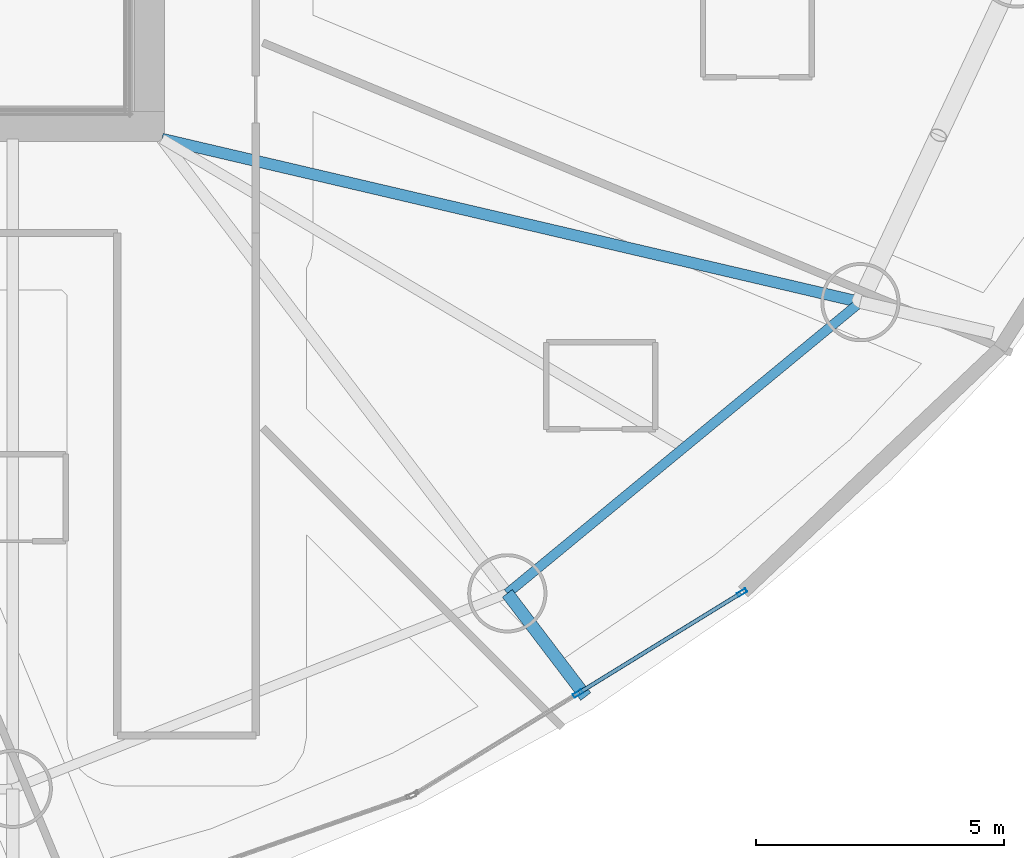
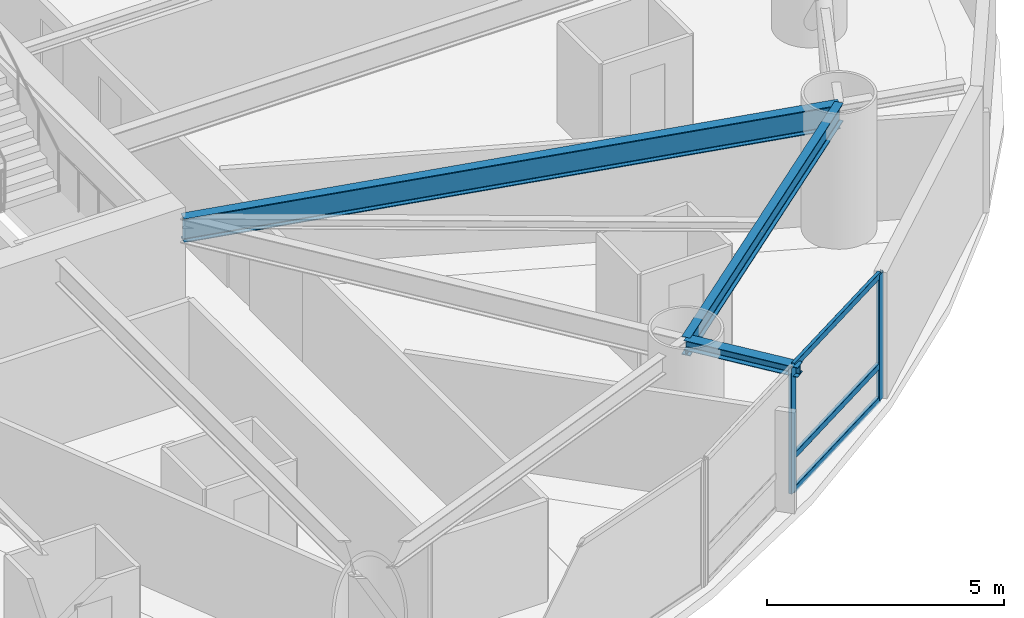
# One storey, part 8 of 27: 5 members, 3 beams, 1 element without a shape of its own.
"""IFC4 building model written with IfcOpenShell, lengths in metres."""

from ifc_helpers import new_model, si_unit, direction, frame, origin, origin_2d, place, context, subcontext, project, spatial, hollow_rectangle, i_section, extrude, material, layer, layer_set, material_profile, profile_set, type_object, element, aggregate, save


model = new_model("IFC4")

# Units and contexts
model_context = context("Model", 3, precision=1e-05, world=origin(), true_north=direction((0.0, 1.0)))
body_context = subcontext(model_context, "Body", "Model", "MODEL_VIEW")
ifc_project = project(units=[si_unit("LENGTHUNIT", "METRE"), si_unit("AREAUNIT", "SQUARE_METRE"), si_unit("VOLUMEUNIT", "CUBIC_METRE"), si_unit("PLANEANGLEUNIT", "RADIAN"), si_unit("MASSUNIT", "GRAM", prefix="KILO")], contexts=[model_context])

# Site, building, storey
site_placement = place(None, origin())
site = spatial("IfcSite", under=ifc_project, at=site_placement, CompositionType="ELEMENT")
building_placement = place(site_placement, origin())
building = spatial("IfcBuilding", under=site, at=building_placement, Name="Bramvorn Convention Spire", CompositionType="ELEMENT")
storey_placement = place(building_placement, frame((0.0, 0.0, 44.89990234375)))
storey = spatial("IfcBuildingStorey", under=building, at=storey_placement, Name="L08", CompositionType="ELEMENT", Elevation=44.89990234375)

# Beams
ifc_material_1 = material(Name="Steel CSA G40.21 Grade 350 (350W)", Category="steel")
ifc_material_profile_1 = material_profile(ifc_material_1, i_section(OverallWidth=0.25390625, OverallDepth=0.2529296875, WebThickness=0.008544921875, FlangeThickness=0.01416015625, FilletRadius=0.011962890625, at=origin_2d()))
ifc_profile_set_1 = profile_set([ifc_material_profile_1], Name="Steel CSA G40.21 Grade 350 (350W) - W250X73")
beam_type_1 = type_object("IfcBeamType", Name="BM-W250X73", PredefinedType="BEAM", material=ifc_profile_set_1)
beam_1_placement = place(storey_placement, frame((56.227783203125, 9.371337890625, 3.12353515625), z_axis=(0.605225148495, -0.796054344646, 0.0), x_axis=(0.796054344646, 0.605225148495, 0.0)))
element("IfcBeam", 1, at=beam_1_placement, inside=storey, type_object=beam_type_1, Name="L08 slab-edge cantilever tip beam MC15", PredefinedType="BEAM", context=body_context, shape_type="SweptSolid", body=[
    extrude(i_section(OverallWidth=0.25390625, OverallDepth=0.2529296875, WebThickness=0.008544921875, FlangeThickness=0.01416015625, FilletRadius=0.011962890625, at=origin_2d()), origin(), (0.0, 0.0, 1.0), 2.61767578125),
])
ifc_material_profile_2 = material_profile(ifc_material_1, i_section(OverallWidth=0.194091796875, OverallDepth=0.468994140625, WebThickness=0.0126953125, FlangeThickness=0.0205078125, FilletRadius=0.01806640625, at=origin_2d()))
ifc_profile_set_2 = profile_set([ifc_material_profile_2], Name="Steel CSA G40.21 Grade 350 (350W) - W460X106")
beam_type_2 = type_object("IfcBeamType", Name="BM-W460X106", PredefinedType="SPANDREL", material=ifc_profile_set_2)
beam_2_placement = place(storey_placement, frame((56.227783203125, 9.371337890625, 3.015625), z_axis=(0.771417680101, 0.636329130896, 0.0), x_axis=(-0.636329130896, 0.771417680101, 0.0)))
element("IfcBeam", 2, at=beam_2_placement, inside=storey, type_object=beam_type_2, Name="L08 mega-column ring beam 15", PredefinedType="SPANDREL", context=body_context, shape_type="SweptSolid", body=[
    extrude(i_section(OverallWidth=0.194091796875, OverallDepth=0.468994140625, WebThickness=0.0126953125, FlangeThickness=0.0205078125, FilletRadius=0.01806640625, at=origin_2d()), origin(), (0.0, 0.0, 1.0), 9.244140625),
])
ifc_material_profile_3 = material_profile(ifc_material_1, i_section(OverallWidth=0.22998046875, OverallDepth=0.616943359375, WebThickness=0.01318359375, FlangeThickness=0.022216796875, FilletRadius=0.02001953125, at=origin_2d()))
ifc_profile_set_3 = profile_set([ifc_material_profile_3], Name="Steel CSA G40.21 Grade 350 (350W) - W610X140")
beam_type_3 = type_object("IfcBeamType", Name="BM-W610X140", PredefinedType="BEAM", material=ifc_profile_set_3)
beam_3_placement = place(storey_placement, frame((49.25, 18.550048828125, 2.941650390625), z_axis=(0.973775294862, -0.227511923018, 0.0), x_axis=(0.227511923018, 0.973775294862, 0.0)))
element("IfcBeam", 3, at=beam_3_placement, inside=storey, type_object=beam_type_3, Name="L08 radial floor girder MC16", PredefinedType="BEAM", context=body_context, shape_type="SweptSolid", body=[
    extrude(i_section(OverallWidth=0.22998046875, OverallDepth=0.616943359375, WebThickness=0.01318359375, FlangeThickness=0.022216796875, FilletRadius=0.02001953125, at=origin_2d()), origin(), (0.0, 0.0, 1.0), 14.48876953125),
])

# Curtain wall, members
ifc_material_2 = material(Name="Anodised Bronze Unitised Curtain Wall", Category="aluminium")
ifc_layer = layer(ifc_material_2, 0.179931640625)
ifc_layer_set = layer_set([ifc_layer], Name="Anodised Bronze Unitised Curtain Wall - CW-HTL-FRIT")
curtain_wall_type = type_object("IfcCurtainWallType", Name="CW-HTL-FRIT", PredefinedType="USERDEFINED", material=ifc_layer_set)
curtain_wall_placement = place(storey_placement, origin())
curtain_wall = element("IfcCurtainWall", 4, at=curtain_wall_placement, inside=storey, type_object=curtain_wall_type, Name="L08 fritted glass curtain wall 21", ObjectType="UNITISED CURTAIN WALL", PredefinedType="USERDEFINED")
ifc_material_3 = material(Name="Anodised Bronze Aluminium 6063-T6", Category="aluminium")
ifc_material_profile_4 = material_profile(ifc_material_3, hollow_rectangle(XDim=0.080078125, YDim=0.199951171875, WallThickness=0.00390625, InnerFilletRadius=0.0009765625, OuterFilletRadius=0.00390625, at=origin_2d()))
ifc_profile_set_4 = profile_set([ifc_material_profile_4], Name="Anodised Bronze Aluminium 6063-T6 - CWM80X200")
member_type_1 = type_object("IfcMemberType", Name="CW-MUL-180", PredefinedType="MULLION", material=ifc_profile_set_4)
member_1_placement = place(storey_placement, frame((60.96728515625, 9.3876953125, 0.0), z_axis=(0.0, 0.0, 1.0), x_axis=(0.524243929369, -0.851568143204, 0.0)))
member_1 = element("IfcMember", 5, at=member_1_placement, type_object=member_type_1, Name="CW2 mullion 1", PredefinedType="MULLION", context=body_context, shape_type="SweptSolid", body=[
    extrude(hollow_rectangle(XDim=0.080078125, YDim=0.199951171875, WallThickness=0.00390625, InnerFilletRadius=0.0009765625, OuterFilletRadius=0.00390625, at=origin_2d()), origin(), (0.0, 0.0, 1.0), 3.25),
])
member_2_placement = place(storey_placement, frame((57.652587890625, 7.34716796875, 0.0), z_axis=(0.0, 0.0, 1.0), x_axis=(0.524243929369, -0.851568143204, 0.0)))
member_2 = element("IfcMember", 6, at=member_2_placement, type_object=member_type_1, Name="CW2 mullion 2", PredefinedType="MULLION", context=body_context, shape_type="SweptSolid", body=[
    extrude(hollow_rectangle(XDim=0.080078125, YDim=0.199951171875, WallThickness=0.00390625, InnerFilletRadius=0.0009765625, OuterFilletRadius=0.00390625, at=origin_2d()), origin(), (0.0, 0.0, 1.0), 3.25),
])
ifc_material_profile_5 = material_profile(ifc_material_3, hollow_rectangle(XDim=0.080078125, YDim=0.159912109375, WallThickness=0.00390625, InnerFilletRadius=0.0009765625, OuterFilletRadius=0.00390625, at=origin_2d()))
ifc_profile_set_5 = profile_set([ifc_material_profile_5], Name="Anodised Bronze Aluminium 6063-T6 - CWT80X160")
member_type_2 = type_object("IfcMemberType", Name="CW-TRN-150", PredefinedType="USERDEFINED", material=ifc_profile_set_5)
member_3_placement = place(storey_placement, frame((60.941650390625, 9.3720703125, 0.030029296875), z_axis=(-0.851568622579, -0.524243150684, 0.0), x_axis=(0.524243150684, -0.851568622579, 0.0)))
member_3 = element("IfcMember", 7, at=member_3_placement, type_object=member_type_2, Name="CW2 transom 1.1", ObjectType="TRANSOM", PredefinedType="USERDEFINED", context=body_context, shape_type="SweptSolid", body=[
    extrude(hollow_rectangle(XDim=0.080078125, YDim=0.159912109375, WallThickness=0.00390625, InnerFilletRadius=0.0009765625, OuterFilletRadius=0.00390625, at=origin_2d()), origin(), (0.0, 0.0, 1.0), 3.832275390625),
])
member_4_placement = place(storey_placement, frame((60.941650390625, 9.3720703125, 0.900146484375), z_axis=(-0.851568622579, -0.524243150684, 0.0), x_axis=(0.524243150684, -0.851568622579, 0.0)))
member_4 = element("IfcMember", 8, at=member_4_placement, type_object=member_type_2, Name="CW2 transom 1.2", ObjectType="TRANSOM", PredefinedType="USERDEFINED", context=body_context, shape_type="SweptSolid", body=[
    extrude(hollow_rectangle(XDim=0.080078125, YDim=0.159912109375, WallThickness=0.00390625, InnerFilletRadius=0.0009765625, OuterFilletRadius=0.00390625, at=origin_2d()), origin(), (0.0, 0.0, 1.0), 3.832275390625),
])
member_5_placement = place(storey_placement, frame((60.941650390625, 9.3720703125, 3.22021484375), z_axis=(-0.851568622579, -0.524243150684, 0.0), x_axis=(0.524243150684, -0.851568622579, 0.0)))
member_5 = element("IfcMember", 9, at=member_5_placement, type_object=member_type_2, Name="CW2 transom 1.3", ObjectType="TRANSOM", PredefinedType="USERDEFINED", context=body_context, shape_type="SweptSolid", body=[
    extrude(hollow_rectangle(XDim=0.080078125, YDim=0.159912109375, WallThickness=0.00390625, InnerFilletRadius=0.0009765625, OuterFilletRadius=0.00390625, at=origin_2d()), origin(), (0.0, 0.0, 1.0), 3.832275390625),
])
aggregate(curtain_wall, [member_1, member_2, member_3, member_4, member_5])

save(model, "model.ifc")
